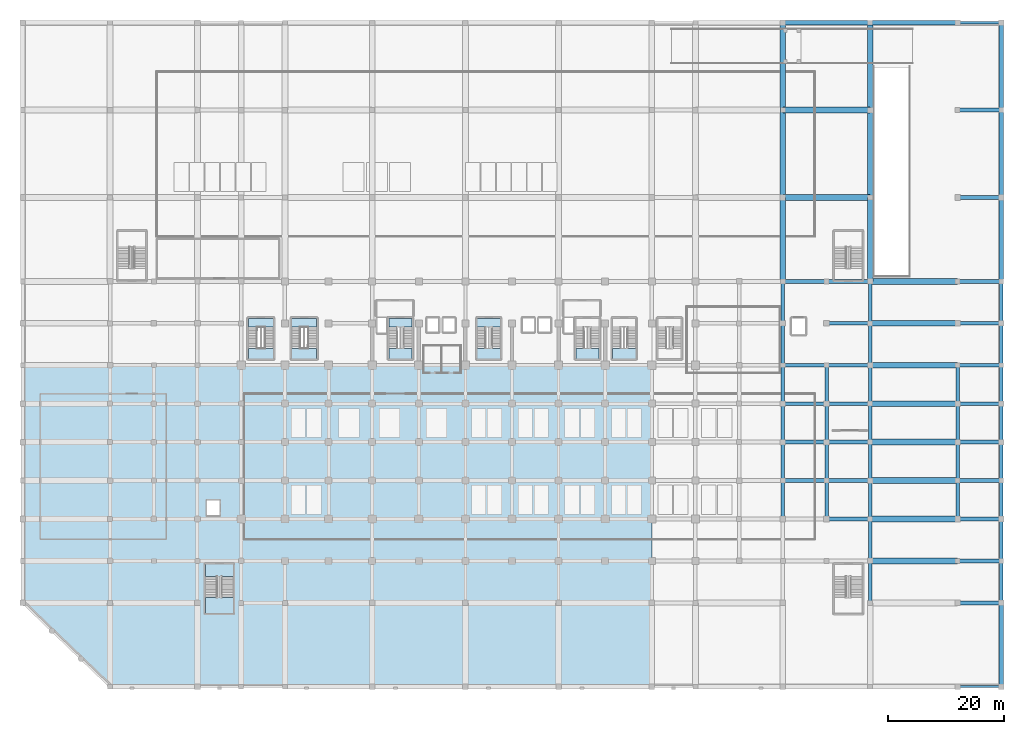
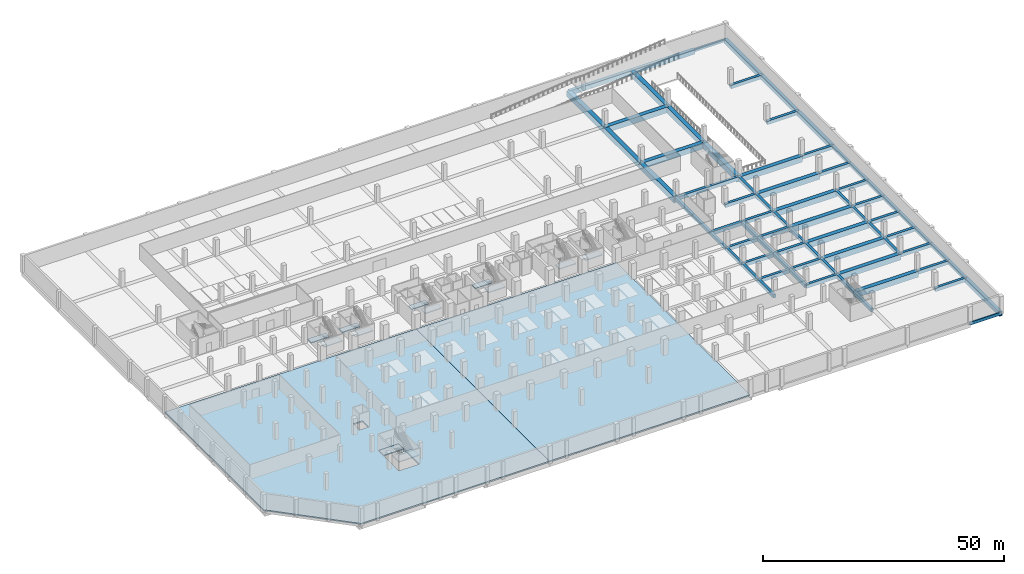
# One storey, part 5 of 25: 77 beams, 14 slabs, 7 elements without a shape of their own.
"""IFC4 building model written with IfcOpenShell, lengths in metres."""

from ifc_helpers import new_model, si_unit, direction, frame, origin, origin_2d, place, context, subcontext, project, spatial, polyline, rectangle, outline, extrude, material, layer, layer_set, material_profile, profile_set, type_object, element, aggregate, save


model = new_model("IFC4")

# Units and contexts
model_context = context("Model", 3, precision=1e-05, world=origin(), true_north=direction((0.0, 1.0)))
body_context = subcontext(model_context, "Body", "Model", "MODEL_VIEW")
ifc_project = project(units=[si_unit("LENGTHUNIT", "METRE"), si_unit("AREAUNIT", "SQUARE_METRE"), si_unit("VOLUMEUNIT", "CUBIC_METRE"), si_unit("PLANEANGLEUNIT", "RADIAN"), si_unit("MASSUNIT", "GRAM", prefix="KILO")], contexts=[model_context])

# Site, building, storey
site_placement = place(None, origin())
site = spatial("IfcSite", under=ifc_project, at=site_placement, CompositionType="ELEMENT")
building_placement = place(site_placement, origin())
building = spatial("IfcBuilding", under=site, at=building_placement, Name="Akrevak Sports Hall", CompositionType="ELEMENT")
storey_placement = place(building_placement, frame((0.0, 0.0, -4.5)))
storey = spatial("IfcBuildingStorey", under=building, at=storey_placement, Name="B01", CompositionType="ELEMENT", Elevation=-4.5)

# Beams
ifc_material_1 = material(Name="Concrete C50/60", Category="concrete")
ifc_material_profile_1 = material_profile(ifc_material_1, rectangle(XDim=1.0, YDim=1.449951171875, at=origin_2d()), Name="BM 1000x1450", Category="concrete")
ifc_profile_set_1 = profile_set([ifc_material_profile_1], Name="Concrete C50/60")
beam_type_1 = type_object("IfcBeamType", Name="STR-BM-LG1000x1450", PredefinedType="BEAM", material=ifc_profile_set_1)
for number, where, z_axis, x_axis, name in (
    (1, (145.5, 21.60009765625, -0.72509765625), (1.0, 0.0, 0.0), (0.0, 1.0, 0.0), "Girder D/20-22 (B01)"),
    (2, (145.5, 28.800048828125, -0.72509765625), (1.0, 0.0, 0.0), (0.0, 1.0, 0.0), "Girder E/20-22 (B01)"),
    (3, (145.5, 35.39990234375, -0.72509765625), (1.0, 0.0, 0.0), (0.0, 1.0, 0.0), "Girder F/20-22 (B01)"),
    (4, (145.5, 42.0, -0.72509765625), (1.0, 0.0, 0.0), (0.0, 1.0, 0.0), "Girder G/20-22 (B01)"),
    (5, (145.5, 48.60009765625, -0.72509765625), (1.0, 0.0, 0.0), (0.0, 1.0, 0.0), "Girder H/20-22 (B01)"),
    (6, (145.5, 55.199951171875, -0.72509765625), (1.0, 0.0, 0.0), (0.0, 1.0, 0.0), "Girder I/20-22 (B01)"),
    (7, (145.5, 62.39990234375, -0.72509765625), (1.0, 0.0, 0.0), (0.0, 1.0, 0.0), "Girder J/20-22 (B01)"),
    (8, (145.5, 69.60009765625, -0.72509765625), (1.0, 0.0, 0.0), (0.0, 1.0, 0.0), "Girder K/20-22 (B01)"),
    (9, (130.5, 84.0, -0.72509765625), (1.0, 0.0, 0.0), (0.0, 1.0, 0.0), "Girder M/18-20 (B01)"),
    (10, (130.5, 99.0, -0.72509765625), (1.0, 0.0, 0.0), (0.0, 1.0, 0.0), "Girder O/18-20 (B01)"),
):
    element("IfcBeam", number, at=place(storey_placement, frame(where, z_axis=z_axis, x_axis=x_axis)), inside=storey, type_object=beam_type_1, Name=name, PredefinedType="BEAM", context=body_context, shape_type="SweptSolid", body=[
        extrude(rectangle(XDim=1.0, YDim=1.449951171875, at=origin_2d()), origin(), (0.0, 0.0, 1.0), 15.0),
    ])
beam_1_placement = place(storey_placement, frame((130.5, 69.60009765625, -0.72509765625), z_axis=(0.0, 1.0, 0.0), x_axis=(-1.0, 0.0, 0.0)))
element("IfcBeam", 11, at=beam_1_placement, inside=storey, type_object=beam_type_1, Name="Girder 18/K-M (B01)", PredefinedType="BEAM", context=body_context, shape_type="SweptSolid", body=[
    extrude(rectangle(XDim=1.0, YDim=1.449951171875, at=origin_2d()), origin(), (0.0, 0.0, 1.0), 14.39990234375),
])
for number, where, z_axis, x_axis, name in (
    (12, (130.5, 84.0, -0.72509765625), (0.0, 1.0, 0.0), (-1.0, 0.0, 0.0), "Girder 18/M-O (B01)"),
    (13, (130.5, 99.0, -0.72509765625), (0.0, 1.0, 0.0), (-1.0, 0.0, 0.0), "Girder 18/O-Q (B01)"),
):
    element("IfcBeam", number, at=place(storey_placement, frame(where, z_axis=z_axis, x_axis=x_axis)), inside=storey, type_object=beam_type_1, Name=name, PredefinedType="BEAM", context=body_context, shape_type="SweptSolid", body=[
        extrude(rectangle(XDim=1.0, YDim=1.449951171875, at=origin_2d()), origin(), (0.0, 0.0, 1.0), 15.0),
    ])
beam_2_placement = place(storey_placement, frame((145.5, 69.60009765625, -0.72509765625), z_axis=(0.0, 1.0, 0.0), x_axis=(-1.0, 0.0, 0.0)))
element("IfcBeam", 14, at=beam_2_placement, inside=storey, type_object=beam_type_1, Name="Girder 20/K-M (B01)", PredefinedType="BEAM", context=body_context, shape_type="SweptSolid", body=[
    extrude(rectangle(XDim=1.0, YDim=1.449951171875, at=origin_2d()), origin(), (0.0, 0.0, 1.0), 14.39990234375),
])
for number, where, z_axis, x_axis, name in (
    (15, (145.5, 84.0, -0.72509765625), (0.0, 1.0, 0.0), (-1.0, 0.0, 0.0), "Girder 20/M-O (B01)"),
    (16, (145.5, 99.0, -0.72509765625), (0.0, 1.0, 0.0), (-1.0, 0.0, 0.0), "Girder 20/O-Q (B01)"),
):
    element("IfcBeam", number, at=place(storey_placement, frame(where, z_axis=z_axis, x_axis=x_axis)), inside=storey, type_object=beam_type_1, Name=name, PredefinedType="BEAM", context=body_context, shape_type="SweptSolid", body=[
        extrude(rectangle(XDim=1.0, YDim=1.449951171875, at=origin_2d()), origin(), (0.0, 0.0, 1.0), 15.0),
    ])
ifc_material_2 = material(Name="Concrete C40/50", Category="concrete")
ifc_material_profile_2 = material_profile(ifc_material_2, rectangle(XDim=0.60009765625, YDim=0.85009765625, at=origin_2d()), Name="BM 600x850", Category="concrete")
ifc_profile_set_2 = profile_set([ifc_material_profile_2], Name="Concrete C40/50")
beam_type_2 = type_object("IfcBeamType", Name="STR-BM-RC600x850", PredefinedType="BEAM", material=ifc_profile_set_2)
beam_3_placement = place(storey_placement, frame((130.5, 28.800048828125, -0.425048828125), z_axis=(0.0, 1.0, 0.0), x_axis=(-1.0, 0.0, 0.0)))
element("IfcBeam", 17, at=beam_3_placement, inside=storey, type_object=beam_type_2, Name="Girder 18/E-F (B01)", PredefinedType="BEAM", context=body_context, shape_type="SweptSolid", body=[
    extrude(rectangle(XDim=0.60009765625, YDim=0.85009765625, at=origin_2d()), origin(), (0.0, 0.0, 1.0), 6.599853515625),
])
for number, where, z_axis, x_axis, name in (
    (18, (130.5, 35.39990234375, -0.425048828125), (0.0, 1.0, 0.0), (-1.0, 0.0, 0.0), "Girder 18/F-G (B01)"),
    (19, (130.5, 42.0, -0.425048828125), (0.0, 1.0, 0.0), (-1.0, 0.0, 0.0), "Girder 18/G-H (B01)"),
):
    element("IfcBeam", number, at=place(storey_placement, frame(where, z_axis=z_axis, x_axis=x_axis)), inside=storey, type_object=beam_type_2, Name=name, PredefinedType="BEAM", context=body_context, shape_type="SweptSolid", body=[
        extrude(rectangle(XDim=0.60009765625, YDim=0.85009765625, at=origin_2d()), origin(), (0.0, 0.0, 1.0), 6.60009765625),
    ])
beam_4_placement = place(storey_placement, frame((130.5, 48.60009765625, -0.425048828125), z_axis=(0.0, 1.0, 0.0), x_axis=(-1.0, 0.0, 0.0)))
element("IfcBeam", 20, at=beam_4_placement, inside=storey, type_object=beam_type_2, Name="Girder 18/H-I (B01)", PredefinedType="BEAM", context=body_context, shape_type="SweptSolid", body=[
    extrude(rectangle(XDim=0.60009765625, YDim=0.85009765625, at=origin_2d()), origin(), (0.0, 0.0, 1.0), 6.599853515625),
])
beam_5_placement = place(storey_placement, frame((130.5, 55.199951171875, -0.425048828125), z_axis=(0.0, 1.0, 0.0), x_axis=(-1.0, 0.0, 0.0)))
element("IfcBeam", 21, at=beam_5_placement, inside=storey, type_object=beam_type_2, Name="Girder 18/I-J (B01)", PredefinedType="BEAM", context=body_context, shape_type="SweptSolid", body=[
    extrude(rectangle(XDim=0.60009765625, YDim=0.85009765625, at=origin_2d()), origin(), (0.0, 0.0, 1.0), 7.199951171875),
])
beam_6_placement = place(storey_placement, frame((130.5, 62.39990234375, -0.425048828125), z_axis=(0.0, 1.0, 0.0), x_axis=(-1.0, 0.0, 0.0)))
element("IfcBeam", 22, at=beam_6_placement, inside=storey, type_object=beam_type_2, Name="Girder 18/J-K (B01)", PredefinedType="BEAM", context=body_context, shape_type="SweptSolid", body=[
    extrude(rectangle(XDim=0.60009765625, YDim=0.85009765625, at=origin_2d()), origin(), (0.0, 0.0, 1.0), 7.2001953125),
])
beam_7_placement = place(storey_placement, frame((138.0, 28.800048828125, -0.425048828125), z_axis=(0.0, 1.0, 0.0), x_axis=(-1.0, 0.0, 0.0)))
element("IfcBeam", 23, at=beam_7_placement, inside=storey, type_object=beam_type_2, Name="Girder 19/E-F (B01)", PredefinedType="BEAM", context=body_context, shape_type="SweptSolid", body=[
    extrude(rectangle(XDim=0.60009765625, YDim=0.85009765625, at=origin_2d()), origin(), (0.0, 0.0, 1.0), 6.599853515625),
])
for number, where, z_axis, x_axis, name in (
    (24, (138.0, 35.39990234375, -0.425048828125), (0.0, 1.0, 0.0), (-1.0, 0.0, 0.0), "Girder 19/F-G (B01)"),
    (25, (138.0, 42.0, -0.425048828125), (0.0, 1.0, 0.0), (-1.0, 0.0, 0.0), "Girder 19/G-H (B01)"),
):
    element("IfcBeam", number, at=place(storey_placement, frame(where, z_axis=z_axis, x_axis=x_axis)), inside=storey, type_object=beam_type_2, Name=name, PredefinedType="BEAM", context=body_context, shape_type="SweptSolid", body=[
        extrude(rectangle(XDim=0.60009765625, YDim=0.85009765625, at=origin_2d()), origin(), (0.0, 0.0, 1.0), 6.60009765625),
    ])
beam_8_placement = place(storey_placement, frame((138.0, 48.60009765625, -0.425048828125), z_axis=(0.0, 1.0, 0.0), x_axis=(-1.0, 0.0, 0.0)))
element("IfcBeam", 26, at=beam_8_placement, inside=storey, type_object=beam_type_2, Name="Girder 19/H-I (B01)", PredefinedType="BEAM", context=body_context, shape_type="SweptSolid", body=[
    extrude(rectangle(XDim=0.60009765625, YDim=0.85009765625, at=origin_2d()), origin(), (0.0, 0.0, 1.0), 6.599853515625),
])
beam_9_placement = place(storey_placement, frame((145.5, 14.39990234375, -0.425048828125), z_axis=(0.0, 1.0, 0.0), x_axis=(-1.0, 0.0, 0.0)))
element("IfcBeam", 27, at=beam_9_placement, inside=storey, type_object=beam_type_2, Name="Girder 20/C-D (B01)", PredefinedType="BEAM", context=body_context, shape_type="SweptSolid", body=[
    extrude(rectangle(XDim=0.60009765625, YDim=0.85009765625, at=origin_2d()), origin(), (0.0, 0.0, 1.0), 7.2001953125),
])
beam_10_placement = place(storey_placement, frame((145.5, 21.60009765625, -0.425048828125), z_axis=(0.0, 1.0, 0.0), x_axis=(-1.0, 0.0, 0.0)))
element("IfcBeam", 28, at=beam_10_placement, inside=storey, type_object=beam_type_2, Name="Girder 20/D-E (B01)", PredefinedType="BEAM", context=body_context, shape_type="SweptSolid", body=[
    extrude(rectangle(XDim=0.60009765625, YDim=0.85009765625, at=origin_2d()), origin(), (0.0, 0.0, 1.0), 7.199951171875),
])
beam_11_placement = place(storey_placement, frame((145.5, 28.800048828125, -0.425048828125), z_axis=(0.0, 1.0, 0.0), x_axis=(-1.0, 0.0, 0.0)))
element("IfcBeam", 29, at=beam_11_placement, inside=storey, type_object=beam_type_2, Name="Girder 20/E-F (B01)", PredefinedType="BEAM", context=body_context, shape_type="SweptSolid", body=[
    extrude(rectangle(XDim=0.60009765625, YDim=0.85009765625, at=origin_2d()), origin(), (0.0, 0.0, 1.0), 6.599853515625),
])
for number, where, z_axis, x_axis, name in (
    (30, (145.5, 35.39990234375, -0.425048828125), (0.0, 1.0, 0.0), (-1.0, 0.0, 0.0), "Girder 20/F-G (B01)"),
    (31, (145.5, 42.0, -0.425048828125), (0.0, 1.0, 0.0), (-1.0, 0.0, 0.0), "Girder 20/G-H (B01)"),
):
    element("IfcBeam", number, at=place(storey_placement, frame(where, z_axis=z_axis, x_axis=x_axis)), inside=storey, type_object=beam_type_2, Name=name, PredefinedType="BEAM", context=body_context, shape_type="SweptSolid", body=[
        extrude(rectangle(XDim=0.60009765625, YDim=0.85009765625, at=origin_2d()), origin(), (0.0, 0.0, 1.0), 6.60009765625),
    ])
beam_12_placement = place(storey_placement, frame((145.5, 48.60009765625, -0.425048828125), z_axis=(0.0, 1.0, 0.0), x_axis=(-1.0, 0.0, 0.0)))
element("IfcBeam", 32, at=beam_12_placement, inside=storey, type_object=beam_type_2, Name="Girder 20/H-I (B01)", PredefinedType="BEAM", context=body_context, shape_type="SweptSolid", body=[
    extrude(rectangle(XDim=0.60009765625, YDim=0.85009765625, at=origin_2d()), origin(), (0.0, 0.0, 1.0), 6.599853515625),
])
beam_13_placement = place(storey_placement, frame((145.5, 55.199951171875, -0.425048828125), z_axis=(0.0, 1.0, 0.0), x_axis=(-1.0, 0.0, 0.0)))
element("IfcBeam", 33, at=beam_13_placement, inside=storey, type_object=beam_type_2, Name="Girder 20/I-J (B01)", PredefinedType="BEAM", context=body_context, shape_type="SweptSolid", body=[
    extrude(rectangle(XDim=0.60009765625, YDim=0.85009765625, at=origin_2d()), origin(), (0.0, 0.0, 1.0), 7.199951171875),
])
beam_14_placement = place(storey_placement, frame((145.5, 62.39990234375, -0.425048828125), z_axis=(0.0, 1.0, 0.0), x_axis=(-1.0, 0.0, 0.0)))
element("IfcBeam", 34, at=beam_14_placement, inside=storey, type_object=beam_type_2, Name="Girder 20/J-K (B01)", PredefinedType="BEAM", context=body_context, shape_type="SweptSolid", body=[
    extrude(rectangle(XDim=0.60009765625, YDim=0.85009765625, at=origin_2d()), origin(), (0.0, 0.0, 1.0), 7.2001953125),
])
beam_15_placement = place(storey_placement, frame((160.5, 28.800048828125, -0.425048828125), z_axis=(0.0, 1.0, 0.0), x_axis=(-1.0, 0.0, 0.0)))
element("IfcBeam", 35, at=beam_15_placement, inside=storey, type_object=beam_type_2, Name="Girder 22/E-F (B01)", PredefinedType="BEAM", context=body_context, shape_type="SweptSolid", body=[
    extrude(rectangle(XDim=0.60009765625, YDim=0.85009765625, at=origin_2d()), origin(), (0.0, 0.0, 1.0), 6.599853515625),
])
for number, where, z_axis, x_axis, name in (
    (36, (160.5, 35.39990234375, -0.425048828125), (0.0, 1.0, 0.0), (-1.0, 0.0, 0.0), "Girder 22/F-G (B01)"),
    (37, (160.5, 42.0, -0.425048828125), (0.0, 1.0, 0.0), (-1.0, 0.0, 0.0), "Girder 22/G-H (B01)"),
):
    element("IfcBeam", number, at=place(storey_placement, frame(where, z_axis=z_axis, x_axis=x_axis)), inside=storey, type_object=beam_type_2, Name=name, PredefinedType="BEAM", context=body_context, shape_type="SweptSolid", body=[
        extrude(rectangle(XDim=0.60009765625, YDim=0.85009765625, at=origin_2d()), origin(), (0.0, 0.0, 1.0), 6.60009765625),
    ])
beam_16_placement = place(storey_placement, frame((160.5, 48.60009765625, -0.425048828125), z_axis=(0.0, 1.0, 0.0), x_axis=(-1.0, 0.0, 0.0)))
element("IfcBeam", 38, at=beam_16_placement, inside=storey, type_object=beam_type_2, Name="Girder 22/H-I (B01)", PredefinedType="BEAM", context=body_context, shape_type="SweptSolid", body=[
    extrude(rectangle(XDim=0.60009765625, YDim=0.85009765625, at=origin_2d()), origin(), (0.0, 0.0, 1.0), 6.599853515625),
])
beam_17_placement = place(storey_placement, frame((168.0, 14.39990234375, -0.425048828125), z_axis=(0.0, 1.0, 0.0), x_axis=(-1.0, 0.0, 0.0)))
element("IfcBeam", 39, at=beam_17_placement, inside=storey, type_object=beam_type_2, Name="Girder 23/C-D (B01)", PredefinedType="BEAM", context=body_context, shape_type="SweptSolid", body=[
    extrude(rectangle(XDim=0.60009765625, YDim=0.85009765625, at=origin_2d()), origin(), (0.0, 0.0, 1.0), 7.2001953125),
])
beam_18_placement = place(storey_placement, frame((168.0, 21.60009765625, -0.425048828125), z_axis=(0.0, 1.0, 0.0), x_axis=(-1.0, 0.0, 0.0)))
element("IfcBeam", 40, at=beam_18_placement, inside=storey, type_object=beam_type_2, Name="Girder 23/D-E (B01)", PredefinedType="BEAM", context=body_context, shape_type="SweptSolid", body=[
    extrude(rectangle(XDim=0.60009765625, YDim=0.85009765625, at=origin_2d()), origin(), (0.0, 0.0, 1.0), 7.199951171875),
])
beam_19_placement = place(storey_placement, frame((168.0, 28.800048828125, -0.425048828125), z_axis=(0.0, 1.0, 0.0), x_axis=(-1.0, 0.0, 0.0)))
element("IfcBeam", 41, at=beam_19_placement, inside=storey, type_object=beam_type_2, Name="Girder 23/E-F (B01)", PredefinedType="BEAM", context=body_context, shape_type="SweptSolid", body=[
    extrude(rectangle(XDim=0.60009765625, YDim=0.85009765625, at=origin_2d()), origin(), (0.0, 0.0, 1.0), 6.599853515625),
])
for number, where, z_axis, x_axis, name in (
    (42, (168.0, 35.39990234375, -0.425048828125), (0.0, 1.0, 0.0), (-1.0, 0.0, 0.0), "Girder 23/F-G (B01)"),
    (43, (168.0, 42.0, -0.425048828125), (0.0, 1.0, 0.0), (-1.0, 0.0, 0.0), "Girder 23/G-H (B01)"),
):
    element("IfcBeam", number, at=place(storey_placement, frame(where, z_axis=z_axis, x_axis=x_axis)), inside=storey, type_object=beam_type_2, Name=name, PredefinedType="BEAM", context=body_context, shape_type="SweptSolid", body=[
        extrude(rectangle(XDim=0.60009765625, YDim=0.85009765625, at=origin_2d()), origin(), (0.0, 0.0, 1.0), 6.60009765625),
    ])
beam_20_placement = place(storey_placement, frame((168.0, 48.60009765625, -0.425048828125), z_axis=(0.0, 1.0, 0.0), x_axis=(-1.0, 0.0, 0.0)))
element("IfcBeam", 44, at=beam_20_placement, inside=storey, type_object=beam_type_2, Name="Girder 23/H-I (B01)", PredefinedType="BEAM", context=body_context, shape_type="SweptSolid", body=[
    extrude(rectangle(XDim=0.60009765625, YDim=0.85009765625, at=origin_2d()), origin(), (0.0, 0.0, 1.0), 6.599853515625),
])
beam_21_placement = place(storey_placement, frame((168.0, 55.199951171875, -0.425048828125), z_axis=(0.0, 1.0, 0.0), x_axis=(-1.0, 0.0, 0.0)))
element("IfcBeam", 45, at=beam_21_placement, inside=storey, type_object=beam_type_2, Name="Girder 23/I-J (B01)", PredefinedType="BEAM", context=body_context, shape_type="SweptSolid", body=[
    extrude(rectangle(XDim=0.60009765625, YDim=0.85009765625, at=origin_2d()), origin(), (0.0, 0.0, 1.0), 7.199951171875),
])
beam_22_placement = place(storey_placement, frame((168.0, 62.39990234375, -0.425048828125), z_axis=(0.0, 1.0, 0.0), x_axis=(-1.0, 0.0, 0.0)))
element("IfcBeam", 46, at=beam_22_placement, inside=storey, type_object=beam_type_2, Name="Girder 23/J-K (B01)", PredefinedType="BEAM", context=body_context, shape_type="SweptSolid", body=[
    extrude(rectangle(XDim=0.60009765625, YDim=0.85009765625, at=origin_2d()), origin(), (0.0, 0.0, 1.0), 7.2001953125),
])
ifc_material_profile_3 = material_profile(ifc_material_2, rectangle(XDim=0.64990234375, YDim=0.89990234375, at=origin_2d()), Name="BM 650x900", Category="concrete")
ifc_profile_set_3 = profile_set([ifc_material_profile_3], Name="Concrete C40/50")
beam_type_3 = type_object("IfcBeamType", Name="STR-BM-RC650x900", PredefinedType="BEAM", material=ifc_profile_set_3)
for number, where, z_axis, x_axis, name in (
    (47, (160.5, 14.39990234375, -0.449951171875), (1.0, 0.0, 0.0), (0.0, 1.0, 0.0), "Girder C/22-23 (B01)"),
    (48, (160.5, 21.60009765625, -0.449951171875), (1.0, 0.0, 0.0), (0.0, 1.0, 0.0), "Girder D/22-23 (B01)"),
    (49, (138.0, 28.800048828125, -0.449951171875), (1.0, 0.0, 0.0), (0.0, 1.0, 0.0), "Girder E/19-20 (B01)"),
    (50, (160.5, 28.800048828125, -0.449951171875), (1.0, 0.0, 0.0), (0.0, 1.0, 0.0), "Girder E/22-23 (B01)"),
    (51, (130.5, 35.39990234375, -0.449951171875), (1.0, 0.0, 0.0), (0.0, 1.0, 0.0), "Girder F/18-19 (B01)"),
    (52, (138.0, 35.39990234375, -0.449951171875), (1.0, 0.0, 0.0), (0.0, 1.0, 0.0), "Girder F/19-20 (B01)"),
    (53, (160.5, 35.39990234375, -0.449951171875), (1.0, 0.0, 0.0), (0.0, 1.0, 0.0), "Girder F/22-23 (B01)"),
    (54, (130.5, 42.0, -0.449951171875), (1.0, 0.0, 0.0), (0.0, 1.0, 0.0), "Girder G/18-19 (B01)"),
    (55, (138.0, 42.0, -0.449951171875), (1.0, 0.0, 0.0), (0.0, 1.0, 0.0), "Girder G/19-20 (B01)"),
    (56, (160.5, 42.0, -0.449951171875), (1.0, 0.0, 0.0), (0.0, 1.0, 0.0), "Girder G/22-23 (B01)"),
    (57, (130.5, 48.60009765625, -0.449951171875), (1.0, 0.0, 0.0), (0.0, 1.0, 0.0), "Girder H/18-19 (B01)"),
    (58, (138.0, 48.60009765625, -0.449951171875), (1.0, 0.0, 0.0), (0.0, 1.0, 0.0), "Girder H/19-20 (B01)"),
    (59, (160.5, 48.60009765625, -0.449951171875), (1.0, 0.0, 0.0), (0.0, 1.0, 0.0), "Girder H/22-23 (B01)"),
    (60, (130.5, 55.199951171875, -0.449951171875), (1.0, 0.0, 0.0), (0.0, 1.0, 0.0), "Girder I/18-19 (B01)"),
    (61, (138.0, 55.199951171875, -0.449951171875), (1.0, 0.0, 0.0), (0.0, 1.0, 0.0), "Girder I/19-20 (B01)"),
    (62, (160.5, 55.199951171875, -0.449951171875), (1.0, 0.0, 0.0), (0.0, 1.0, 0.0), "Girder I/22-23 (B01)"),
    (63, (138.0, 62.39990234375, -0.449951171875), (1.0, 0.0, 0.0), (0.0, 1.0, 0.0), "Girder J/19-20 (B01)"),
    (64, (160.5, 62.39990234375, -0.449951171875), (1.0, 0.0, 0.0), (0.0, 1.0, 0.0), "Girder J/22-23 (B01)"),
    (65, (130.5, 69.60009765625, -0.449951171875), (1.0, 0.0, 0.0), (0.0, 1.0, 0.0), "Girder K/18-19 (B01)"),
    (66, (138.0, 69.60009765625, -0.449951171875), (1.0, 0.0, 0.0), (0.0, 1.0, 0.0), "Girder K/19-20 (B01)"),
    (67, (160.5, 69.60009765625, -0.449951171875), (1.0, 0.0, 0.0), (0.0, 1.0, 0.0), "Girder K/22-23 (B01)"),
    (68, (160.5, 84.0, -0.449951171875), (1.0, 0.0, 0.0), (0.0, 1.0, 0.0), "Girder M/22-23 (B01)"),
    (69, (160.5, 99.0, -0.449951171875), (1.0, 0.0, 0.0), (0.0, 1.0, 0.0), "Girder O/22-23 (B01)"),
):
    element("IfcBeam", number, at=place(storey_placement, frame(where, z_axis=z_axis, x_axis=x_axis)), inside=storey, type_object=beam_type_3, Name=name, PredefinedType="BEAM", context=body_context, shape_type="SweptSolid", body=[
        extrude(rectangle(XDim=0.64990234375, YDim=0.89990234375, at=origin_2d()), origin(), (0.0, 0.0, 1.0), 7.5),
    ])
ifc_material_profile_4 = material_profile(ifc_material_1, rectangle(XDim=0.75, YDim=1.14990234375, at=origin_2d()), Name="SPD 750x1150", Category="concrete")
ifc_profile_set_4 = profile_set([ifc_material_profile_4], Name="Concrete C50/60")
beam_type_4 = type_object("IfcBeamType", Name="STR-SPD-LSP750x1150", PredefinedType="SPANDREL", material=ifc_profile_set_4)
for number, where, z_axis, x_axis, name in (
    (70, (130.5, 114.0, -0.574951171875), (1.0, 0.0, 0.0), (0.0, 1.0, 0.0), "Girder Q/18-20 (B01)"),
    (71, (145.5, 114.0, -0.574951171875), (1.0, 0.0, 0.0), (0.0, 1.0, 0.0), "Girder Q/20-22 (B01)"),
):
    element("IfcBeam", number, at=place(storey_placement, frame(where, z_axis=z_axis, x_axis=x_axis)), inside=storey, type_object=beam_type_4, Name=name, PredefinedType="SPANDREL", context=body_context, shape_type="SweptSolid", body=[
        extrude(rectangle(XDim=0.75, YDim=1.14990234375, at=origin_2d()), origin(), (0.0, 0.0, 1.0), 15.0),
    ])
for number, where, z_axis, x_axis, name in (
    (72, (168.0, 0.0, -0.574951171875), (0.0, 1.0, 0.0), (-1.0, 0.0, 0.0), "Girder 23/A-C (B01)"),
    (73, (168.0, 69.60009765625, -0.574951171875), (0.0, 1.0, 0.0), (-1.0, 0.0, 0.0), "Girder 23/K-M (B01)"),
):
    element("IfcBeam", number, at=place(storey_placement, frame(where, z_axis=z_axis, x_axis=x_axis)), inside=storey, type_object=beam_type_4, Name=name, PredefinedType="SPANDREL", context=body_context, shape_type="SweptSolid", body=[
        extrude(rectangle(XDim=0.75, YDim=1.14990234375, at=origin_2d()), origin(), (0.0, 0.0, 1.0), 14.39990234375),
    ])
for number, where, z_axis, x_axis, name in (
    (74, (168.0, 84.0, -0.574951171875), (0.0, 1.0, 0.0), (-1.0, 0.0, 0.0), "Girder 23/M-O (B01)"),
    (75, (168.0, 99.0, -0.574951171875), (0.0, 1.0, 0.0), (-1.0, 0.0, 0.0), "Girder 23/O-Q (B01)"),
):
    element("IfcBeam", number, at=place(storey_placement, frame(where, z_axis=z_axis, x_axis=x_axis)), inside=storey, type_object=beam_type_4, Name=name, PredefinedType="SPANDREL", context=body_context, shape_type="SweptSolid", body=[
        extrude(rectangle(XDim=0.75, YDim=1.14990234375, at=origin_2d()), origin(), (0.0, 0.0, 1.0), 15.0),
    ])
ifc_material_profile_5 = material_profile(ifc_material_2, rectangle(XDim=0.35009765625, YDim=0.75, at=origin_2d()), Name="SPD 350x750", Category="concrete")
ifc_profile_set_5 = profile_set([ifc_material_profile_5], Name="Concrete C40/50")
beam_type_5 = type_object("IfcBeamType", Name="STR-SPD-RC350x750", PredefinedType="SPANDREL", material=ifc_profile_set_5)
for number, where, z_axis, x_axis, name in (
    (76, (160.5, 0.0, -0.375), (1.0, 0.0, 0.0), (0.0, 1.0, 0.0), "Girder A/22-23 (B01)"),
    (77, (160.5, 114.0, -0.375), (1.0, 0.0, 0.0), (0.0, 1.0, 0.0), "Girder Q/22-23 (B01)"),
):
    element("IfcBeam", number, at=place(storey_placement, frame(where, z_axis=z_axis, x_axis=x_axis)), inside=storey, type_object=beam_type_5, Name=name, PredefinedType="SPANDREL", context=body_context, shape_type="SweptSolid", body=[
        extrude(rectangle(XDim=0.35009765625, YDim=0.75, at=origin_2d()), origin(), (0.0, 0.0, 1.0), 7.5),
    ])

# Slabs
ifc_layer_1 = layer(ifc_material_2, 0.320068359375, Name="Concrete C40/50")
ifc_layer_set_1 = layer_set([ifc_layer_1], Name="Concrete C40/50")
slab_type_1 = type_object("IfcSlabType", Name="STR-SLB-FLR-320", PredefinedType="FLOOR", material=ifc_layer_set_1)
slab_1_placement = place(storey_placement, frame((0.0, 0.0, -0.320068359375)))
element("IfcSlab", 78, at=slab_1_placement, inside=storey, type_object=slab_type_1, Name="Structural Floor Slab B01-1.1", PredefinedType="FLOOR", context=body_context, shape_type="SweptSolid", body=[
    extrude(outline(polyline([(0.0, 14.39990234375), (15.0, 0.0), (60.0, 0.0), (60.0, 55.199951171875), (0.0, 55.199951171875), (0.0, 14.39990234375)]), holes=[polyline([(36.14990234375, 21.050048828125), (36.14990234375, 12.60009765625), (31.35009765625, 12.60009765625), (31.35009765625, 21.050048828125), (36.14990234375, 21.050048828125)]), polyline([(33.780029296875, 31.97998046875), (33.780029296875, 29.419921875), (31.6201171875, 29.419921875), (31.6201171875, 31.97998046875), (33.780029296875, 31.97998046875)])]), origin(), (0.0, 0.0, 1.0), 0.320068359375),
])
slab_2_placement = place(storey_placement, frame((0.0, 0.0, -0.320068359375)))
element("IfcSlab", 79, at=slab_2_placement, inside=storey, type_object=slab_type_1, Name="Structural Floor Slab B01-3.1", PredefinedType="FLOOR", context=body_context, shape_type="SweptSolid", body=[
    extrude(outline(polyline([(108.0, 0.0), (108.0, 55.199951171875), (60.0, 55.199951171875), (60.0, 0.0), (108.0, 0.0)])), origin(), (0.0, 0.0, 1.0), 0.320068359375),
])

# Stair, slab
stair_type_1 = type_object("IfcStairType", Name="ARC-STR-DOG-450", PredefinedType="HALF_TURN_STAIR", material=ifc_material_2)
stair_1_placement = place(storey_placement, origin())
stair_1 = element("IfcStair", 80, at=stair_1_placement, inside=storey, type_object=stair_type_1, Name="Protected Exit Stair ST1 (B01 to L00)", PredefinedType="HALF_TURN_STAIR")
ifc_layer_2 = layer(ifc_material_2, 0.199951171875, Name="Concrete C40/50")
ifc_layer_set_2 = layer_set([ifc_layer_2], Name="Concrete C40/50")
slab_type_2 = type_object("IfcSlabType", Name="STR-SLB-LAND-200", PredefinedType="LANDING", material=ifc_layer_set_2)
slab_3_placement = place(storey_placement, frame((0.0, 0.0, 2.050048828125)))
slab_3 = element("IfcSlab", 81, at=slab_3_placement, type_object=slab_type_2, Name="Stair ST1 Half-Landing 1 (B01)", PredefinedType="LANDING", context=body_context, shape_type="SweptSolid", body=[
    extrude(outline(polyline([(62.85009765625, 56.300048828125), (66.85009765625, 56.300048828125), (66.85009765625, 58.094970703125), (62.85009765625, 58.094970703125), (62.85009765625, 56.300048828125)])), origin(), (0.0, 0.0, 1.0), 0.199951171875),
])
aggregate(stair_1, [slab_3])

stair_2_placement = place(storey_placement, origin())
stair_2 = element("IfcStair", 82, at=stair_2_placement, inside=storey, type_object=stair_type_1, Name="Protected Exit Stair ST2 (B01 to L00)", PredefinedType="HALF_TURN_STAIR")
slab_4_placement = place(storey_placement, frame((0.0, 0.0, 2.050048828125)))
slab_4 = element("IfcSlab", 83, at=slab_4_placement, type_object=slab_type_2, Name="Stair ST2 Half-Landing 1 (B01)", PredefinedType="LANDING", context=body_context, shape_type="SweptSolid", body=[
    extrude(outline(polyline([(94.949951171875, 56.300048828125), (98.949951171875, 56.300048828125), (98.949951171875, 58.094970703125), (94.949951171875, 58.094970703125), (94.949951171875, 56.300048828125)])), origin(), (0.0, 0.0, 1.0), 0.199951171875),
])
aggregate(stair_2, [slab_4])

stair_3_placement = place(storey_placement, origin())
stair_3 = element("IfcStair", 84, at=stair_3_placement, inside=storey, type_object=stair_type_1, Name="Protected Exit Stair ST3 (B01 to L00)", PredefinedType="HALF_TURN_STAIR")
slab_5_placement = place(storey_placement, frame((0.0, 0.0, 2.050048828125)))
slab_5 = element("IfcSlab", 85, at=slab_5_placement, type_object=slab_type_2, Name="Stair ST3 Half-Landing 1 (B01)", PredefinedType="LANDING", context=body_context, shape_type="SweptSolid", body=[
    extrude(outline(polyline([(78.0, 56.300048828125), (82.0, 56.300048828125), (82.0, 58.094970703125), (78.0, 58.094970703125), (78.0, 56.300048828125)])), origin(), (0.0, 0.0, 1.0), 0.199951171875),
])
aggregate(stair_3, [slab_5])

stair_type_2 = type_object("IfcStairType", Name="ARC-STR-MDOG-450", PredefinedType="HALF_TURN_STAIR", material=ifc_material_2)
stair_4_placement = place(storey_placement, origin())
stair_4 = element("IfcStair", 86, at=stair_4_placement, inside=storey, type_object=stair_type_2, Name="Protected Exit Stair ST4 (B01 to L00)", PredefinedType="HALF_TURN_STAIR")
slab_6_placement = place(storey_placement, frame((0.0, 0.0, 2.050048828125)))
slab_6 = element("IfcSlab", 87, at=slab_6_placement, type_object=slab_type_2, Name="Stair ST4 Half-Landing 1 (B01)", PredefinedType="LANDING", context=body_context, shape_type="SweptSolid", body=[
    extrude(outline(polyline([(46.14990234375, 56.300048828125), (50.449951171875, 56.300048828125), (50.449951171875, 58.094970703125), (46.14990234375, 58.094970703125), (46.14990234375, 56.300048828125)])), origin(), (0.0, 0.0, 1.0), 0.199951171875),
])
aggregate(stair_4, [slab_6])

stair_type_3 = type_object("IfcStairType", Name="ARC-STR-PDOG-450", PredefinedType="HALF_TURN_STAIR", material=ifc_material_2)
stair_5_placement = place(storey_placement, origin())
stair_5 = element("IfcStair", 88, at=stair_5_placement, inside=storey, type_object=stair_type_3, Name="Podium SW Exit Stair ST5 (B01 to L00)", PredefinedType="HALF_TURN_STAIR")
slab_7_placement = place(storey_placement, frame((0.0, 0.0, 2.050048828125)))
slab_7 = element("IfcSlab", 89, at=slab_7_placement, type_object=slab_type_2, Name="Stair ST5 Half-Landing 1 (B01)", PredefinedType="LANDING", context=body_context, shape_type="SweptSolid", body=[
    extrude(outline(polyline([(31.35009765625, 12.60009765625), (36.14990234375, 12.60009765625), (36.14990234375, 15.31005859375), (31.35009765625, 15.31005859375), (31.35009765625, 12.60009765625)])), origin(), (0.0, 0.0, 1.0), 0.199951171875),
])
aggregate(stair_5, [slab_7])

stair_6_placement = place(storey_placement, origin())
stair_6 = element("IfcStair", 90, at=stair_6_placement, inside=storey, type_object=stair_type_2, Name="Transfer West Exit Stair ST9 (B01 to L00)", PredefinedType="HALF_TURN_STAIR")
slab_8_placement = place(storey_placement, frame((0.0, 0.0, 2.050048828125)))
slab_8 = element("IfcSlab", 91, at=slab_8_placement, type_object=slab_type_2, Name="Stair ST9 Half-Landing 1 (B01)", PredefinedType="LANDING", context=body_context, shape_type="SweptSolid", body=[
    extrude(outline(polyline([(38.75, 56.300048828125), (43.050048828125, 56.300048828125), (43.050048828125, 58.094970703125), (38.75, 58.094970703125), (38.75, 56.300048828125)])), origin(), (0.0, 0.0, 1.0), 0.199951171875),
])
aggregate(stair_6, [slab_8])

stair_7_placement = place(storey_placement, origin())
stair_7 = element("IfcStair", 92, at=stair_7_placement, inside=storey, type_object=stair_type_1, Name="East Wing Exit Stair ST10 (B01 to L00)", PredefinedType="HALF_TURN_STAIR")
slab_9_placement = place(storey_placement, frame((0.0, 0.0, 2.050048828125)))
slab_9 = element("IfcSlab", 93, at=slab_9_placement, type_object=slab_type_2, Name="Stair ST10 Half-Landing 1 (B01)", PredefinedType="LANDING", context=body_context, shape_type="SweptSolid", body=[
    extrude(outline(polyline([(101.25, 56.300048828125), (105.25, 56.300048828125), (105.25, 58.094970703125), (101.25, 58.094970703125), (101.25, 56.300048828125)])), origin(), (0.0, 0.0, 1.0), 0.199951171875),
])
aggregate(stair_7, [slab_9])

# Slabs
ifc_layer_3 = layer(ifc_material_2, 0.219970703125, Name="Concrete C40/50")
ifc_layer_set_3 = layer_set([ifc_layer_3], Name="Concrete C40/50")
slab_type_3 = type_object("IfcSlabType", Name="STR-SLB-LAND-220", PredefinedType="LANDING", material=ifc_layer_set_3)
slab_10_placement = place(storey_placement, frame((0.0, 0.0, -0.219970703125)))
element("IfcSlab", 94, at=slab_10_placement, inside=storey, type_object=slab_type_3, Name="Stair ST1 Floor Landing (B01)", PredefinedType="LANDING", context=body_context, shape_type="SweptSolid", body=[
    extrude(outline(polyline([(62.85009765625, 61.735107421875), (66.85009765625, 61.735107421875), (66.85009765625, 63.25), (62.85009765625, 63.25), (62.85009765625, 61.735107421875)])), origin(), (0.0, 0.0, 1.0), 0.219970703125),
])
slab_11_placement = place(storey_placement, frame((0.0, 0.0, -0.219970703125)))
element("IfcSlab", 95, at=slab_11_placement, inside=storey, type_object=slab_type_3, Name="Stair ST3 Floor Landing (B01)", PredefinedType="LANDING", context=body_context, shape_type="SweptSolid", body=[
    extrude(outline(polyline([(78.0, 61.735107421875), (82.0, 61.735107421875), (82.0, 63.25), (78.0, 63.25), (78.0, 61.735107421875)])), origin(), (0.0, 0.0, 1.0), 0.219970703125),
])
slab_12_placement = place(storey_placement, frame((0.0, 0.0, -0.219970703125)))
element("IfcSlab", 96, at=slab_12_placement, inside=storey, type_object=slab_type_3, Name="Stair ST4 Floor Landing (B01)", PredefinedType="LANDING", context=body_context, shape_type="SweptSolid", body=[
    extrude(outline(polyline([(46.14990234375, 61.735107421875), (50.449951171875, 61.735107421875), (50.449951171875, 63.25), (46.14990234375, 63.25), (46.14990234375, 61.735107421875)])), origin(), (0.0, 0.0, 1.0), 0.219970703125),
])
slab_13_placement = place(storey_placement, frame((0.0, 0.0, -0.219970703125)))
element("IfcSlab", 97, at=slab_13_placement, inside=storey, type_object=slab_type_3, Name="Stair ST5 Floor Landing (B01)", PredefinedType="LANDING", context=body_context, shape_type="SweptSolid", body=[
    extrude(outline(polyline([(31.35009765625, 18.949951171875), (36.14990234375, 18.949951171875), (36.14990234375, 21.050048828125), (31.35009765625, 21.050048828125), (31.35009765625, 18.949951171875)])), origin(), (0.0, 0.0, 1.0), 0.219970703125),
])
slab_14_placement = place(storey_placement, frame((0.0, 0.0, -0.219970703125)))
element("IfcSlab", 98, at=slab_14_placement, inside=storey, type_object=slab_type_3, Name="Stair ST9 Floor Landing (B01)", PredefinedType="LANDING", context=body_context, shape_type="SweptSolid", body=[
    extrude(outline(polyline([(38.75, 61.735107421875), (43.050048828125, 61.735107421875), (43.050048828125, 63.25), (38.75, 63.25), (38.75, 61.735107421875)])), origin(), (0.0, 0.0, 1.0), 0.219970703125),
])

save(model, "model.ifc")
